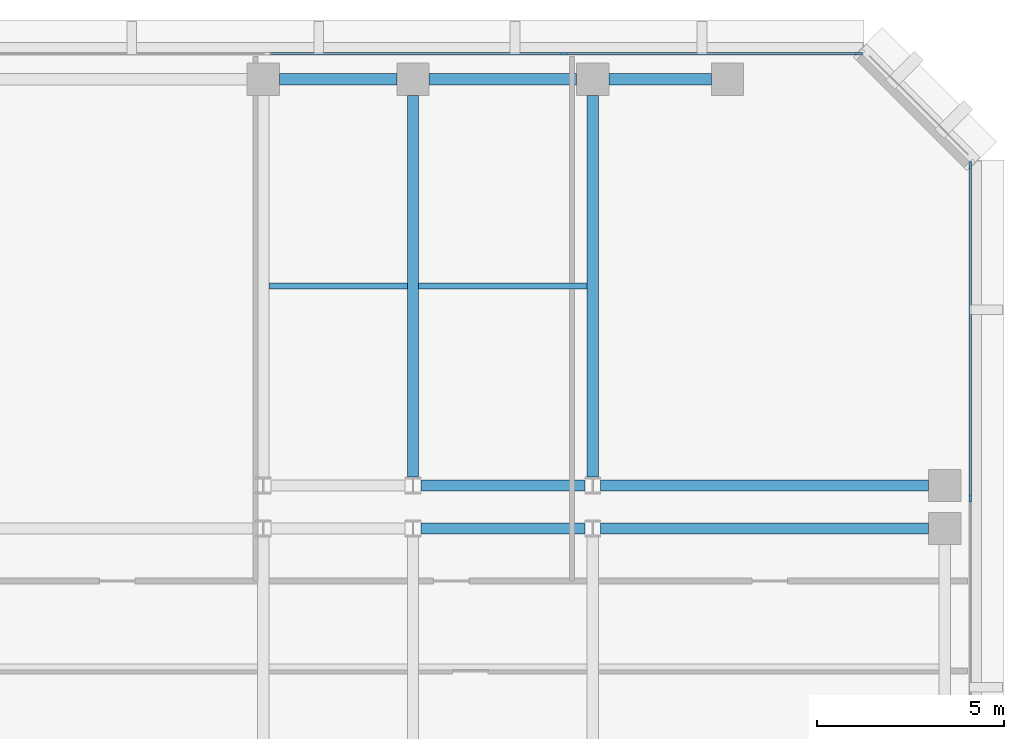
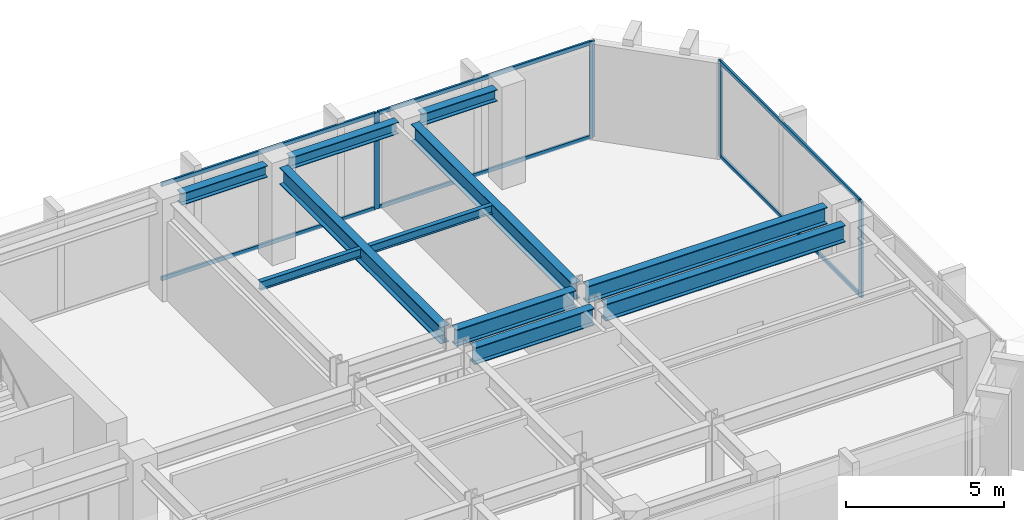
# One storey, part 5 of 11: 11 beams, 10 members, 2 elements without a shape of their own.
"""IFC4 building model written with IfcOpenShell, lengths in metres."""

import ifcopenshell
import ifcopenshell.guid

model = None  # the IFC model being written
_history = None  # IfcOwnerHistory: only IFC2X3 demands one
_inside = {}  # id of a spatial element -> (the spatial element, [elements in it])
_under = {}  # id of a project, library or spatial element -> (it, [spatial elements below it])
_declared = {}  # id of a project -> (the project, [libraries it declares])
_typed = {}  # id of a type object -> (the type object, [elements of that type])
_made_of = {}  # id of a material, layer set ... -> (it, [elements and type objects made of it])


def new_model(schema):
    """Start an empty IFC model of exactly this schema.

    Asked for "IFC4X3", IfcOpenShell would pick the latest addendum, in which some entities
    have other attributes; the version numbers below select the first issue.
    IFC2X3 requires an IfcOwnerHistory on every rooted entity: one is made here for all.
    """
    global model, _history
    if schema == "IFC4X3":
        model = ifcopenshell.file(schema_version=(4, 3, 0, 0))
    else:
        model = ifcopenshell.file(schema=schema)
    _inside.clear()
    _under.clear()
    _declared.clear()
    _typed.clear()
    _made_of.clear()
    _history = None
    if model.schema == "IFC2X3":
        org = make("IfcOrganization", Name="unknown")
        user = make(
            "IfcPersonAndOrganization",
            ThePerson=make("IfcPerson", FamilyName="unknown"),
            TheOrganization=org,
        )
        app = make(
            "IfcApplication",
            ApplicationDeveloper=org,
            Version="unknown",
            ApplicationFullName="unknown",
            ApplicationIdentifier="unknown",
        )
        _history = make(
            "IfcOwnerHistory",
            OwningUser=user,
            OwningApplication=app,
            ChangeAction="ADDED",
            CreationDate=0,
        )
    return model


def make(cls, **values):
    """One entity of the class cls with the attributes given. An attribute that is None is left unset."""
    return model.create_entity(
        cls, **{name: value for name, value in values.items() if value is not None}
    )


def rooted(cls, **values):
    """An entity with a GlobalId (a new one), such as an element, a storey or a relation."""
    return make(cls, GlobalId=ifcopenshell.guid.new(), OwnerHistory=_history, **values)


def si_unit(unit_type, name, prefix=None):
    """IfcSIUnit, for example si_unit("LENGTHUNIT", "METRE", prefix="MILLI")."""
    return make("IfcSIUnit", UnitType=unit_type, Prefix=prefix, Name=name)


def assignment(units):
    """IfcUnitAssignment: the units of a project."""
    return None if units is None else make("IfcUnitAssignment", Units=units)


def point(xyz):
    """IfcCartesianPoint."""
    return None if xyz is None else make("IfcCartesianPoint", Coordinates=xyz)


def direction(xyz):
    """IfcDirection."""
    return None if xyz is None else make("IfcDirection", DirectionRatios=xyz)


def frame(location, z_axis=None, x_axis=None):
    """IfcAxis2Placement3D, a coordinate frame: its origin and axes. An axis left out is left unset."""
    return make(
        "IfcAxis2Placement3D",
        Location=point(location),
        Axis=direction(z_axis),
        RefDirection=direction(x_axis),
    )


def frame_2d(location, x_axis=None):
    """IfcAxis2Placement2D, a coordinate frame in the plane: its origin and x axis."""
    return make(
        "IfcAxis2Placement2D", Location=point(location), RefDirection=direction(x_axis)
    )


def origin():
    """The frame at (0, 0, 0) with its axes left unset."""
    return frame((0.0, 0.0, 0.0))


def origin_2d():
    """The frame at (0, 0) in the plane with its x axis left unset."""
    return frame_2d((0.0, 0.0))


def place(relative_to, where):
    """IfcLocalPlacement: puts the frame where relative to a parent placement (None: the world)."""
    return make(
        "IfcLocalPlacement", PlacementRelTo=relative_to, RelativePlacement=where
    )


def context(
    kind, dimensions, precision=None, world=None, true_north=None, identifier=None
):
    """IfcGeometricRepresentationContext, for example the 3D "Model" context."""
    return make(
        "IfcGeometricRepresentationContext",
        ContextIdentifier=identifier,
        ContextType=kind,
        CoordinateSpaceDimension=dimensions,
        Precision=precision,
        WorldCoordinateSystem=world,
        TrueNorth=true_north,
    )


def subcontext(parent, identifier, kind, view, scale=None):
    """IfcGeometricRepresentationSubContext, for example "Body" below "Model"."""
    return make(
        "IfcGeometricRepresentationSubContext",
        ContextIdentifier=identifier,
        ContextType=kind,
        ParentContext=parent,
        TargetScale=scale,
        TargetView=view,
    )


def project(units=None, contexts=None):
    """IfcProject with its units and contexts."""
    return rooted(
        "IfcProject",
        Name="project",
        RepresentationContexts=contexts,
        UnitsInContext=assignment(units),
    )


def spatial(cls, under=None, at=None, **own):
    """A site, building, storey or space (cls), placed at a placement, below another one or the project."""
    s = rooted(cls, ObjectPlacement=at, **own)
    if under is not None:
        _under.setdefault(under.id(), (under, []))[1].append(s)
    return s


def profile(cls, at=None, kind="AREA", **sizes):
    """A parametric profile (cls). Its sizes go by their IFC names, for example OverallWidth=200.0."""
    return make(cls, ProfileType=kind, Position=at, **sizes)


def rectangle(**sizes):
    """IfcRectangleProfileDef."""
    return profile("IfcRectangleProfileDef", **sizes)


def i_section(**sizes):
    """IfcIShapeProfileDef."""
    return profile("IfcIShapeProfileDef", **sizes)


def extrude(swept, where, along, depth):
    """IfcExtrudedAreaSolid: the profile swept, set in the frame where, extruded along a direction by depth."""
    return make(
        "IfcExtrudedAreaSolid",
        SweptArea=swept,
        Position=where,
        ExtrudedDirection=direction(along),
        Depth=depth,
    )


def shape(context_of_items, identifier, shape_type, items):
    """IfcShapeRepresentation: the items that make up one representation, for example the "Body"."""
    return make(
        "IfcShapeRepresentation",
        ContextOfItems=context_of_items,
        RepresentationIdentifier=identifier,
        RepresentationType=shape_type,
        Items=items,
    )


def material(Name=None, Category=None):
    """IfcMaterial."""
    return make("IfcMaterial", Name=Name, Category=Category)


def layer(
    of_material, thickness, ventilated=None, Name=None, Category=None, Priority=None
):
    """IfcMaterialLayer: one layer of a wall or slab, of a material (None: an air gap)."""
    return make(
        "IfcMaterialLayer",
        Material=of_material,
        LayerThickness=thickness,
        IsVentilated=ventilated,
        Name=Name,
        Category=Category,
        Priority=Priority,
    )


def layer_set(layers, Name=None):
    """IfcMaterialLayerSet."""
    return make("IfcMaterialLayerSet", MaterialLayers=layers, LayerSetName=Name)


def material_profile(
    of_material, cross_section, Name=None, Category=None, Priority=None
):
    """IfcMaterialProfile: a cross section and its material."""
    return make(
        "IfcMaterialProfile",
        Name=Name,
        Material=of_material,
        Profile=cross_section,
        Priority=Priority,
        Category=Category,
    )


def profile_set(profiles, Name=None, composite=None):
    """IfcMaterialProfileSet."""
    return make(
        "IfcMaterialProfileSet",
        Name=Name,
        MaterialProfiles=profiles,
        CompositeProfile=composite,
    )


def made_of(thing, what):
    """Note that an element or type object is made of a material, layer set ...; save() writes the relation."""
    if what is not None:
        _made_of.setdefault(what.id(), (what, []))[1].append(thing)
    return thing


def type_object(cls, material=None, **own):
    """A type object (cls), such as IfcWallType, which elements share."""
    return made_of(rooted(cls, **own), material)


def element(
    cls,
    number,
    at=None,
    inside=None,
    cuts=None,
    type_object=None,
    material=None,
    context=None,
    identifier="Body",
    shape_type=None,
    held_by="IfcProductDefinitionShape",
    body=None,
    shapes=None,
    **own,
):
    """One element of the class cls, such as IfcWall. Its Tag is "e" and its number.

    at: its placement. inside: the storey or other place that contains it. cuts: it is an
    opening in that element (IfcRelVoidsElement). A single representation is given by context,
    identifier, shape_type and body (its items); several are given by shapes. held_by: the class
    of the entity that holds the representations. save() writes the other relations.
    """
    e = rooted(cls, Tag="e%d" % number, ObjectPlacement=at, **own)
    if body is not None:
        shapes = [shape(context, identifier, shape_type, body)]
    if shapes is not None:
        e.Representation = make(held_by, Representations=shapes)
    if inside is not None:
        _inside.setdefault(inside.id(), (inside, []))[1].append(e)
    if cuts is not None:
        rooted(
            "IfcRelVoidsElement", RelatingBuildingElement=cuts, RelatedOpeningElement=e
        )
    if type_object is not None:
        _typed.setdefault(type_object.id(), (type_object, []))[1].append(e)
    return made_of(e, material)


def aggregate(whole, parts):
    """IfcRelAggregates: a whole, such as a stair, and the parts it consists of."""
    return rooted("IfcRelAggregates", RelatingObject=whole, RelatedObjects=parts)


def save(model, path):
    """Write the relations noted so far, then the file.

    IfcRelAggregates (storeys below a building ...), IfcRelContainedInSpatialStructure (elements
    in a storey), IfcRelDefinesByType, IfcRelAssociatesMaterial and IfcRelDeclares: one each for
    every whole, place, type object, material and project.
    """
    for whole, parts in _under.values():
        aggregate(whole, parts)
    for where, things in _inside.values():
        rooted(
            "IfcRelContainedInSpatialStructure",
            RelatedElements=things,
            RelatingStructure=where,
        )
    for kind, things in _typed.values():
        rooted("IfcRelDefinesByType", RelatedObjects=things, RelatingType=kind)
    for what, things in _made_of.values():
        rooted("IfcRelAssociatesMaterial", RelatedObjects=things, RelatingMaterial=what)
    for by, libraries in _declared.values():
        rooted("IfcRelDeclares", RelatingContext=by, RelatedDefinitions=libraries)
    model.write(path)


model = new_model("IFC4")

# Units and contexts
model_context = context("Model", 3, precision=1e-05, world=origin(), true_north=direction((0.0, 1.0)))
body_context = subcontext(model_context, "Body", "Model", "MODEL_VIEW")
ifc_project = project(units=[si_unit("LENGTHUNIT", "METRE"), si_unit("AREAUNIT", "SQUARE_METRE"), si_unit("VOLUMEUNIT", "CUBIC_METRE"), si_unit("PLANEANGLEUNIT", "RADIAN"), si_unit("MASSUNIT", "GRAM", prefix="KILO")], contexts=[model_context])

# Site, building, storey
site_placement = place(None, origin())
site = spatial("IfcSite", under=ifc_project, at=site_placement, CompositionType="ELEMENT")
building_placement = place(site_placement, origin())
building = spatial("IfcBuilding", under=site, at=building_placement, Name="Kefirva Bronze Tower", CompositionType="ELEMENT")
storey_placement = place(building_placement, frame((0.0, 0.0, 162.68994140625)))
storey = spatial("IfcBuildingStorey", under=building, at=storey_placement, Name="L39", CompositionType="ELEMENT", Elevation=162.68994140625)

# Curtain wall, members
ifc_material_1 = material(Name="Bronze anodised aluminium", Category="aluminium")
ifc_layer = layer(ifc_material_1, 0.199951171875, Name="Bronze anodised aluminium")
ifc_layer_set = layer_set([ifc_layer], Name="Bronze anodised aluminium")
curtain_wall_type = type_object("IfcCurtainWallType", Name="Unitised Bronze Ribbon Curtain Wall Zone 2", PredefinedType="USERDEFINED", material=ifc_layer_set)
curtain_wall_1_placement = place(storey_placement, origin())
curtain_wall_1 = element("IfcCurtainWall", 1, at=curtain_wall_1_placement, inside=storey, type_object=curtain_wall_type, Name="L39 Curtain Wall 3", ObjectType="UNITISED CURTAIN WALL", PredefinedType="USERDEFINED")
ifc_material_profile_1 = material_profile(ifc_material_1, rectangle(XDim=0.074951171875, YDim=0.179931640625, at=origin_2d()), Name="ALU 75x180")
ifc_profile_set_1 = profile_set([ifc_material_profile_1], Name="Bronze anodised aluminium")
member_type_1 = type_object("IfcMemberType", Name="Bronze Mullion 75x180", PredefinedType="MULLION", material=ifc_profile_set_1)
member_1_placement = place(storey_placement, frame((50.080078125, 34.0, 0.0), z_axis=(0.0, 0.0, 1.0), x_axis=(-1.0, 0.0, 0.0)))
member_1 = element("IfcMember", 2, at=member_1_placement, type_object=member_type_1, Name="CW-02 mullion 2", PredefinedType="MULLION", context=body_context, shape_type="SweptSolid", body=[
    extrude(rectangle(XDim=0.074951171875, YDim=0.179931640625, at=origin_2d()), origin(), (0.0, 0.0, 1.0), 3.7099609375),
])
member_2_placement = place(storey_placement, frame((50.080078125, 42.907470703125, 0.0), z_axis=(0.0, 0.0, 1.0), x_axis=(-1.0, 0.0, 0.0)))
member_2 = element("IfcMember", 3, at=member_2_placement, type_object=member_type_1, Name="CW-02 mullion 3", PredefinedType="MULLION", context=body_context, shape_type="SweptSolid", body=[
    extrude(rectangle(XDim=0.074951171875, YDim=0.179931640625, at=origin_2d()), origin(), (0.0, 0.0, 1.0), 3.7099609375),
])

curtain_wall_2_placement = place(storey_placement, origin())
curtain_wall_2 = element("IfcCurtainWall", 4, at=curtain_wall_2_placement, inside=storey, type_object=curtain_wall_type, Name="L39 Curtain Wall 4", ObjectType="UNITISED CURTAIN WALL", PredefinedType="USERDEFINED")
member_3_placement = place(storey_placement, frame((47.107421875, 45.8798828125, 0.0), z_axis=(0.0, 0.0, 1.0), x_axis=(0.0, -1.0, 0.0)))
member_3 = element("IfcMember", 5, at=member_3_placement, type_object=member_type_1, Name="CW-02 mullion 1", PredefinedType="MULLION", context=body_context, shape_type="SweptSolid", body=[
    extrude(rectangle(XDim=0.074951171875, YDim=0.179931640625, at=origin_2d()), origin(), (0.0, 0.0, 1.0), 3.7099609375),
])
member_4_placement = place(storey_placement, frame((39.231689453125, 45.8798828125, 0.0), z_axis=(0.0, 0.0, 1.0), x_axis=(0.0, -1.0, 0.0)))
member_4 = element("IfcMember", 6, at=member_4_placement, type_object=member_type_1, Name="CW-02 mullion 2", PredefinedType="MULLION", context=body_context, shape_type="SweptSolid", body=[
    extrude(rectangle(XDim=0.074951171875, YDim=0.179931640625, at=origin_2d()), origin(), (0.0, 0.0, 1.0), 3.7099609375),
])

# Member
ifc_material_profile_2 = material_profile(ifc_material_1, rectangle(XDim=0.074951171875, YDim=0.14990234375, at=origin_2d()), Name="ALU 75x150")
ifc_profile_set_2 = profile_set([ifc_material_profile_2], Name="Bronze anodised aluminium")
member_type_2 = type_object("IfcMemberType", Name="Bronze Transom 75x150", PredefinedType="USERDEFINED", material=ifc_profile_set_2)
member_5_placement = place(storey_placement, frame((50.080078125, 34.03759765625, 0.03759765625), z_axis=(0.0, 1.0, 0.0), x_axis=(-1.0, 0.0, 0.0)))
member_5 = element("IfcMember", 7, at=member_5_placement, type_object=member_type_2, Name="CW-02 transom 2.1", ObjectType="TRANSOM", PredefinedType="USERDEFINED", context=body_context, shape_type="SweptSolid", body=[
    extrude(rectangle(XDim=0.074951171875, YDim=0.14990234375, at=origin_2d()), origin(), (0.0, 0.0, 1.0), 8.83251953125),
])

member_6_placement = place(storey_placement, frame((50.080078125, 34.03759765625, 3.672607421875), z_axis=(0.0, 1.0, 0.0), x_axis=(-1.0, 0.0, 0.0)))
member_6 = element("IfcMember", 8, at=member_6_placement, type_object=member_type_2, Name="CW-02 transom 2.2", ObjectType="TRANSOM", PredefinedType="USERDEFINED", context=body_context, shape_type="SweptSolid", body=[
    extrude(rectangle(XDim=0.074951171875, YDim=0.14990234375, at=origin_2d()), origin(), (0.0, 0.0, 1.0), 8.83251953125),
])

aggregate(curtain_wall_1, [member_1, member_2, member_5, member_6])

member_7_placement = place(storey_placement, frame((47.070068359375, 45.8798828125, 0.03759765625), z_axis=(-1.0, 0.0, 0.0), x_axis=(0.0, -1.0, 0.0)))
member_7 = element("IfcMember", 9, at=member_7_placement, type_object=member_type_2, Name="CW-02 transom 1.1", ObjectType="TRANSOM", PredefinedType="USERDEFINED", context=body_context, shape_type="SweptSolid", body=[
    extrude(rectangle(XDim=0.074951171875, YDim=0.14990234375, at=origin_2d()), origin(), (0.0, 0.0, 1.0), 7.80078125),
])

member_8_placement = place(storey_placement, frame((47.070068359375, 45.8798828125, 3.672607421875), z_axis=(-1.0, 0.0, 0.0), x_axis=(0.0, -1.0, 0.0)))
member_8 = element("IfcMember", 10, at=member_8_placement, type_object=member_type_2, Name="CW-02 transom 1.2", ObjectType="TRANSOM", PredefinedType="USERDEFINED", context=body_context, shape_type="SweptSolid", body=[
    extrude(rectangle(XDim=0.074951171875, YDim=0.14990234375, at=origin_2d()), origin(), (0.0, 0.0, 1.0), 7.80078125),
])

member_9_placement = place(storey_placement, frame((39.194091796875, 45.8798828125, 0.03759765625), z_axis=(-1.0, 0.0, 0.0), x_axis=(0.0, -1.0, 0.0)))
member_9 = element("IfcMember", 11, at=member_9_placement, type_object=member_type_2, Name="CW-02 transom 2.1", ObjectType="TRANSOM", PredefinedType="USERDEFINED", context=body_context, shape_type="SweptSolid", body=[
    extrude(rectangle(XDim=0.074951171875, YDim=0.14990234375, at=origin_2d()), origin(), (0.0, 0.0, 1.0), 7.83837890625),
])

member_10_placement = place(storey_placement, frame((39.194091796875, 45.8798828125, 3.672607421875), z_axis=(-1.0, 0.0, 0.0), x_axis=(0.0, -1.0, 0.0)))
member_10 = element("IfcMember", 12, at=member_10_placement, type_object=member_type_2, Name="CW-02 transom 2.2", ObjectType="TRANSOM", PredefinedType="USERDEFINED", context=body_context, shape_type="SweptSolid", body=[
    extrude(rectangle(XDim=0.074951171875, YDim=0.14990234375, at=origin_2d()), origin(), (0.0, 0.0, 1.0), 7.83837890625),
])

aggregate(curtain_wall_2, [member_3, member_4, member_7, member_8, member_9, member_10])

# Beams
ifc_material_2 = material(Name="Steel S355", Category="steel")
ifc_material_profile_3 = material_profile(ifc_material_2, i_section(OverallWidth=0.159912109375, OverallDepth=0.330078125, WebThickness=0.007568359375, FlangeThickness=0.011474609375, at=origin_2d()), Name="IPE 330")
ifc_profile_set_3 = profile_set([ifc_material_profile_3], Name="Steel S355")
beam_type_1 = type_object("IfcBeamType", Name="Steel Floor Joist IPE 330", PredefinedType="JOIST", material=ifc_profile_set_3)
beam_1_placement = place(storey_placement, frame((31.35009765625, 39.673583984375, 3.545166015625), z_axis=(1.0, 0.0, 0.0), x_axis=(0.0, 1.0, 0.0)))
element("IfcBeam", 13, at=beam_1_placement, inside=storey, type_object=beam_type_1, Name="L39 JST-L39-31-396", PredefinedType="JOIST", context=body_context, shape_type="SweptSolid", body=[
    extrude(i_section(OverallWidth=0.159912109375, OverallDepth=0.330078125, WebThickness=0.007568359375, FlangeThickness=0.011474609375, at=origin_2d()), origin(), (0.0, 0.0, 1.0), 3.699951171875),
])
beam_2_placement = place(storey_placement, frame((35.35009765625, 39.673583984375, 3.545166015625), z_axis=(1.0, 0.0, 0.0), x_axis=(0.0, 1.0, 0.0)))
element("IfcBeam", 14, at=beam_2_placement, inside=storey, type_object=beam_type_1, Name="L39 JST-L39-35-396", PredefinedType="JOIST", context=body_context, shape_type="SweptSolid", body=[
    extrude(i_section(OverallWidth=0.159912109375, OverallDepth=0.330078125, WebThickness=0.007568359375, FlangeThickness=0.011474609375, at=origin_2d()), origin(), (0.0, 0.0, 1.0), 4.5),
])
ifc_material_profile_4 = material_profile(ifc_material_2, i_section(OverallWidth=0.300048828125, OverallDepth=0.64990234375, WebThickness=0.01611328125, FlangeThickness=0.031005859375, at=origin_2d()), Name="HEB 650")
ifc_profile_set_4 = profile_set([ifc_material_profile_4], Name="Steel S355")
beam_type_2 = type_object("IfcBeamType", Name="Steel Girder HEB 650", PredefinedType="USERDEFINED", material=ifc_profile_set_4)
beam_3_placement = place(storey_placement, frame((35.408935546875, 33.199951171875, 3.385009765625), z_axis=(1.0, 0.0, 0.0), x_axis=(0.0, 1.0, 0.0)))
element("IfcBeam", 15, at=beam_3_placement, inside=storey, type_object=beam_type_2, Name="L39 BM-L39-EW-35-332", ObjectType="GIRDER", PredefinedType="USERDEFINED", context=body_context, shape_type="SweptSolid", body=[
    extrude(i_section(OverallWidth=0.300048828125, OverallDepth=0.64990234375, WebThickness=0.01611328125, FlangeThickness=0.031005859375, at=origin_2d()), origin(), (0.0, 0.0, 1.0), 4.382080078125),
])
beam_4_placement = place(storey_placement, frame((40.208984375, 33.199951171875, 3.385009765625), z_axis=(1.0, 0.0, 0.0), x_axis=(0.0, 1.0, 0.0)))
element("IfcBeam", 16, at=beam_4_placement, inside=storey, type_object=beam_type_2, Name="L39 BM-L39-EW-40-332", ObjectType="GIRDER", PredefinedType="USERDEFINED", context=body_context, shape_type="SweptSolid", body=[
    extrude(i_section(OverallWidth=0.300048828125, OverallDepth=0.64990234375, WebThickness=0.01611328125, FlangeThickness=0.031005859375, at=origin_2d()), origin(), (0.0, 0.0, 1.0), 8.760986328125),
])
beam_5_placement = place(storey_placement, frame((35.408935546875, 34.35009765625, 3.385009765625), z_axis=(1.0, 0.0, 0.0), x_axis=(0.0, 1.0, 0.0)))
element("IfcBeam", 17, at=beam_5_placement, inside=storey, type_object=beam_type_2, Name="L39 BM-L39-EW-35-344", ObjectType="GIRDER", PredefinedType="USERDEFINED", context=body_context, shape_type="SweptSolid", body=[
    extrude(i_section(OverallWidth=0.300048828125, OverallDepth=0.64990234375, WebThickness=0.01611328125, FlangeThickness=0.031005859375, at=origin_2d()), origin(), (0.0, 0.0, 1.0), 4.382080078125),
])
beam_6_placement = place(storey_placement, frame((40.208984375, 34.35009765625, 3.385009765625), z_axis=(1.0, 0.0, 0.0), x_axis=(0.0, 1.0, 0.0)))
element("IfcBeam", 18, at=beam_6_placement, inside=storey, type_object=beam_type_2, Name="L39 BM-L39-EW-40-344", ObjectType="GIRDER", PredefinedType="USERDEFINED", context=body_context, shape_type="SweptSolid", body=[
    extrude(i_section(OverallWidth=0.300048828125, OverallDepth=0.64990234375, WebThickness=0.01611328125, FlangeThickness=0.031005859375, at=origin_2d()), origin(), (0.0, 0.0, 1.0), 8.760986328125),
])
for number, where, z_axis, x_axis, name in (
    (19, (35.199951171875, 34.577392578125, 3.385009765625), (0.0, 1.0, 0.0), (-1.0, 0.0, 0.0), "L39 BM-L39-NS-352-34"),
    (20, (40.0, 34.577392578125, 3.385009765625), (0.0, 1.0, 0.0), (-1.0, 0.0, 0.0), "L39 BM-L39-NS-400-34"),
):
    element("IfcBeam", number, at=place(storey_placement, frame(where, z_axis=z_axis, x_axis=x_axis)), inside=storey, type_object=beam_type_2, Name=name, ObjectType="GIRDER", PredefinedType="USERDEFINED", context=body_context, shape_type="SweptSolid", body=[
        extrude(i_section(OverallWidth=0.300048828125, OverallDepth=0.64990234375, WebThickness=0.01611328125, FlangeThickness=0.031005859375, at=origin_2d()), origin(), (0.0, 0.0, 1.0), 10.192626953125),
    ])
ifc_material_profile_5 = material_profile(ifc_material_2, i_section(OverallWidth=0.300048828125, OverallDepth=0.449951171875, WebThickness=0.013916015625, FlangeThickness=0.02587890625, at=origin_2d()), Name="HEB 450")
ifc_profile_set_5 = profile_set([ifc_material_profile_5], Name="Steel S355")
beam_type_3 = type_object("IfcBeamType", Name="Steel Spandrel HEB 450 Ext", PredefinedType="SPANDREL", material=ifc_profile_set_5)
beam_7_placement = place(storey_placement, frame((31.6298828125, 45.199951171875, 3.485107421875), z_axis=(1.0, 0.0, 0.0), x_axis=(0.0, 1.0, 0.0)))
element("IfcBeam", 21, at=beam_7_placement, inside=storey, type_object=beam_type_3, Name="L39 BM-L39-EW-31-452", PredefinedType="SPANDREL", context=body_context, shape_type="SweptSolid", body=[
    extrude(i_section(OverallWidth=0.300048828125, OverallDepth=0.449951171875, WebThickness=0.013916015625, FlangeThickness=0.02587890625, at=origin_2d()), origin(), (0.0, 0.0, 1.0), 3.14013671875),
])
beam_8_placement = place(storey_placement, frame((35.6298828125, 45.199951171875, 3.485107421875), z_axis=(1.0, 0.0, 0.0), x_axis=(0.0, 1.0, 0.0)))
element("IfcBeam", 22, at=beam_8_placement, inside=storey, type_object=beam_type_3, Name="L39 BM-L39-EW-35-452", PredefinedType="SPANDREL", context=body_context, shape_type="SweptSolid", body=[
    extrude(i_section(OverallWidth=0.300048828125, OverallDepth=0.449951171875, WebThickness=0.013916015625, FlangeThickness=0.02587890625, at=origin_2d()), origin(), (0.0, 0.0, 1.0), 3.940185546875),
])
beam_9_placement = place(storey_placement, frame((40.429931640625, 45.199951171875, 3.485107421875), z_axis=(1.0, 0.0, 0.0), x_axis=(0.0, 1.0, 0.0)))
element("IfcBeam", 23, at=beam_9_placement, inside=storey, type_object=beam_type_3, Name="L39 BM-L39-EW-40-452", PredefinedType="SPANDREL", context=body_context, shape_type="SweptSolid", body=[
    extrude(i_section(OverallWidth=0.300048828125, OverallDepth=0.449951171875, WebThickness=0.013916015625, FlangeThickness=0.02587890625, at=origin_2d()), origin(), (0.0, 0.0, 1.0), 2.739990234375),
])

save(model, "model.ifc")
